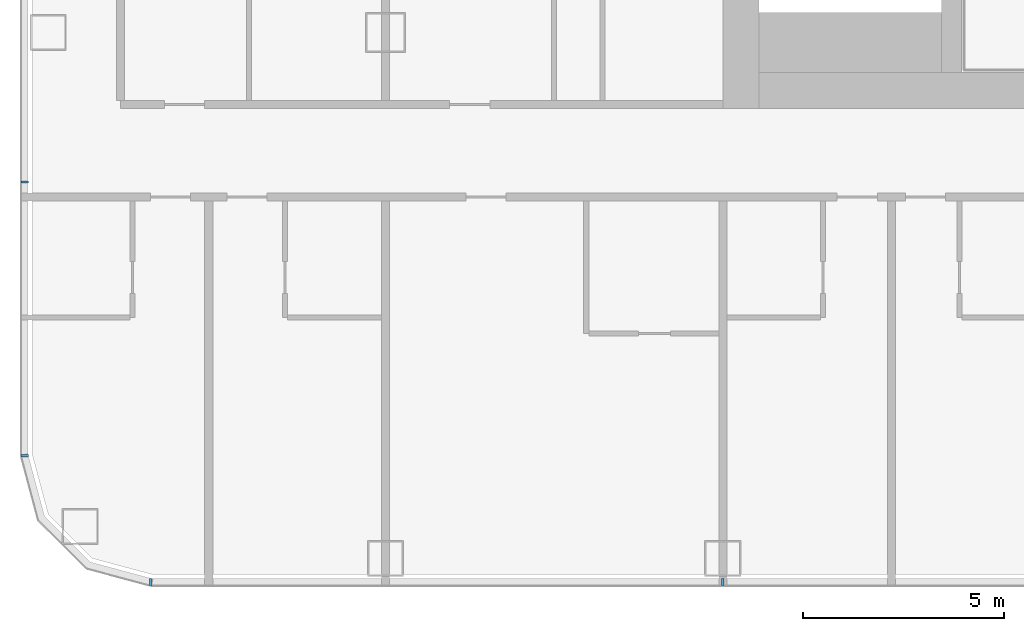
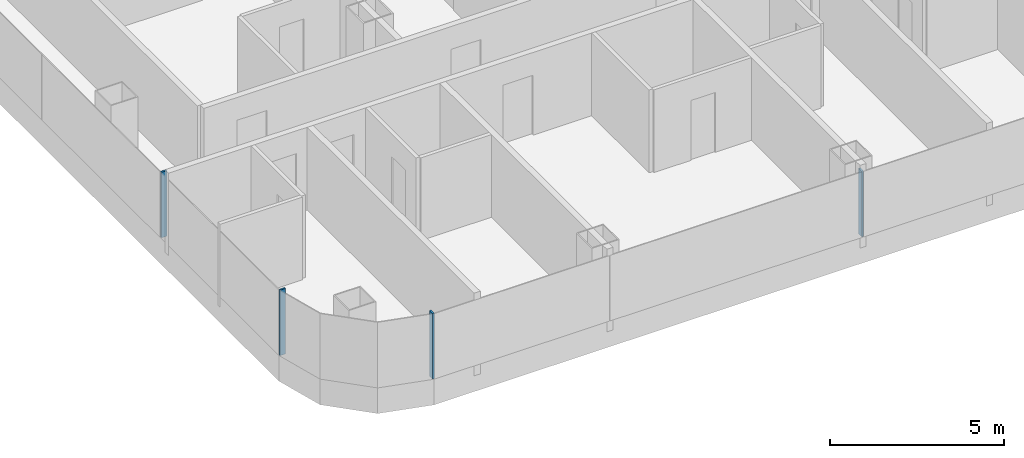
# One storey, part 2 of 29: 4 members, 2 elements without a shape of their own.
"""IFC4 building model written with IfcOpenShell, lengths in metres."""

import ifcopenshell
import ifcopenshell.guid

model = None  # the IFC model being written
_history = None  # IfcOwnerHistory: only IFC2X3 demands one
_inside = {}  # id of a spatial element -> (the spatial element, [elements in it])
_under = {}  # id of a project, library or spatial element -> (it, [spatial elements below it])
_declared = {}  # id of a project -> (the project, [libraries it declares])
_typed = {}  # id of a type object -> (the type object, [elements of that type])
_made_of = {}  # id of a material, layer set ... -> (it, [elements and type objects made of it])


def new_model(schema):
    """Start an empty IFC model of exactly this schema.

    Asked for "IFC4X3", IfcOpenShell would pick the latest addendum, in which some entities
    have other attributes; the version numbers below select the first issue.
    IFC2X3 requires an IfcOwnerHistory on every rooted entity: one is made here for all.
    """
    global model, _history
    if schema == "IFC4X3":
        model = ifcopenshell.file(schema_version=(4, 3, 0, 0))
    else:
        model = ifcopenshell.file(schema=schema)
    _inside.clear()
    _under.clear()
    _declared.clear()
    _typed.clear()
    _made_of.clear()
    _history = None
    if model.schema == "IFC2X3":
        org = make("IfcOrganization", Name="unknown")
        user = make(
            "IfcPersonAndOrganization",
            ThePerson=make("IfcPerson", FamilyName="unknown"),
            TheOrganization=org,
        )
        app = make(
            "IfcApplication",
            ApplicationDeveloper=org,
            Version="unknown",
            ApplicationFullName="unknown",
            ApplicationIdentifier="unknown",
        )
        _history = make(
            "IfcOwnerHistory",
            OwningUser=user,
            OwningApplication=app,
            ChangeAction="ADDED",
            CreationDate=0,
        )
    return model


def make(cls, **values):
    """One entity of the class cls with the attributes given. An attribute that is None is left unset."""
    return model.create_entity(
        cls, **{name: value for name, value in values.items() if value is not None}
    )


def rooted(cls, **values):
    """An entity with a GlobalId (a new one), such as an element, a storey or a relation."""
    return make(cls, GlobalId=ifcopenshell.guid.new(), OwnerHistory=_history, **values)


def si_unit(unit_type, name, prefix=None):
    """IfcSIUnit, for example si_unit("LENGTHUNIT", "METRE", prefix="MILLI")."""
    return make("IfcSIUnit", UnitType=unit_type, Prefix=prefix, Name=name)


def assignment(units):
    """IfcUnitAssignment: the units of a project."""
    return None if units is None else make("IfcUnitAssignment", Units=units)


def point(xyz):
    """IfcCartesianPoint."""
    return None if xyz is None else make("IfcCartesianPoint", Coordinates=xyz)


def direction(xyz):
    """IfcDirection."""
    return None if xyz is None else make("IfcDirection", DirectionRatios=xyz)


def frame(location, z_axis=None, x_axis=None):
    """IfcAxis2Placement3D, a coordinate frame: its origin and axes. An axis left out is left unset."""
    return make(
        "IfcAxis2Placement3D",
        Location=point(location),
        Axis=direction(z_axis),
        RefDirection=direction(x_axis),
    )


def frame_2d(location, x_axis=None):
    """IfcAxis2Placement2D, a coordinate frame in the plane: its origin and x axis."""
    return make(
        "IfcAxis2Placement2D", Location=point(location), RefDirection=direction(x_axis)
    )


def origin():
    """The frame at (0, 0, 0) with its axes left unset."""
    return frame((0.0, 0.0, 0.0))


def origin_2d():
    """The frame at (0, 0) in the plane with its x axis left unset."""
    return frame_2d((0.0, 0.0))


def place(relative_to, where):
    """IfcLocalPlacement: puts the frame where relative to a parent placement (None: the world)."""
    return make(
        "IfcLocalPlacement", PlacementRelTo=relative_to, RelativePlacement=where
    )


def context(
    kind, dimensions, precision=None, world=None, true_north=None, identifier=None
):
    """IfcGeometricRepresentationContext, for example the 3D "Model" context."""
    return make(
        "IfcGeometricRepresentationContext",
        ContextIdentifier=identifier,
        ContextType=kind,
        CoordinateSpaceDimension=dimensions,
        Precision=precision,
        WorldCoordinateSystem=world,
        TrueNorth=true_north,
    )


def subcontext(parent, identifier, kind, view, scale=None):
    """IfcGeometricRepresentationSubContext, for example "Body" below "Model"."""
    return make(
        "IfcGeometricRepresentationSubContext",
        ContextIdentifier=identifier,
        ContextType=kind,
        ParentContext=parent,
        TargetScale=scale,
        TargetView=view,
    )


def project(units=None, contexts=None):
    """IfcProject with its units and contexts."""
    return rooted(
        "IfcProject",
        Name="project",
        RepresentationContexts=contexts,
        UnitsInContext=assignment(units),
    )


def spatial(cls, under=None, at=None, **own):
    """A site, building, storey or space (cls), placed at a placement, below another one or the project."""
    s = rooted(cls, ObjectPlacement=at, **own)
    if under is not None:
        _under.setdefault(under.id(), (under, []))[1].append(s)
    return s


def profile(cls, at=None, kind="AREA", **sizes):
    """A parametric profile (cls). Its sizes go by their IFC names, for example OverallWidth=200.0."""
    return make(cls, ProfileType=kind, Position=at, **sizes)


def rectangle(**sizes):
    """IfcRectangleProfileDef."""
    return profile("IfcRectangleProfileDef", **sizes)


def extrude(swept, where, along, depth):
    """IfcExtrudedAreaSolid: the profile swept, set in the frame where, extruded along a direction by depth."""
    return make(
        "IfcExtrudedAreaSolid",
        SweptArea=swept,
        Position=where,
        ExtrudedDirection=direction(along),
        Depth=depth,
    )


def shape(context_of_items, identifier, shape_type, items):
    """IfcShapeRepresentation: the items that make up one representation, for example the "Body"."""
    return make(
        "IfcShapeRepresentation",
        ContextOfItems=context_of_items,
        RepresentationIdentifier=identifier,
        RepresentationType=shape_type,
        Items=items,
    )


def material(Name=None, Category=None):
    """IfcMaterial."""
    return make("IfcMaterial", Name=Name, Category=Category)


def layer(
    of_material, thickness, ventilated=None, Name=None, Category=None, Priority=None
):
    """IfcMaterialLayer: one layer of a wall or slab, of a material (None: an air gap)."""
    return make(
        "IfcMaterialLayer",
        Material=of_material,
        LayerThickness=thickness,
        IsVentilated=ventilated,
        Name=Name,
        Category=Category,
        Priority=Priority,
    )


def layer_set(layers, Name=None):
    """IfcMaterialLayerSet."""
    return make("IfcMaterialLayerSet", MaterialLayers=layers, LayerSetName=Name)


def material_profile(
    of_material, cross_section, Name=None, Category=None, Priority=None
):
    """IfcMaterialProfile: a cross section and its material."""
    return make(
        "IfcMaterialProfile",
        Name=Name,
        Material=of_material,
        Profile=cross_section,
        Priority=Priority,
        Category=Category,
    )


def profile_set(profiles, Name=None, composite=None):
    """IfcMaterialProfileSet."""
    return make(
        "IfcMaterialProfileSet",
        Name=Name,
        MaterialProfiles=profiles,
        CompositeProfile=composite,
    )


def made_of(thing, what):
    """Note that an element or type object is made of a material, layer set ...; save() writes the relation."""
    if what is not None:
        _made_of.setdefault(what.id(), (what, []))[1].append(thing)
    return thing


def type_object(cls, material=None, **own):
    """A type object (cls), such as IfcWallType, which elements share."""
    return made_of(rooted(cls, **own), material)


def element(
    cls,
    number,
    at=None,
    inside=None,
    cuts=None,
    type_object=None,
    material=None,
    context=None,
    identifier="Body",
    shape_type=None,
    held_by="IfcProductDefinitionShape",
    body=None,
    shapes=None,
    **own,
):
    """One element of the class cls, such as IfcWall. Its Tag is "e" and its number.

    at: its placement. inside: the storey or other place that contains it. cuts: it is an
    opening in that element (IfcRelVoidsElement). A single representation is given by context,
    identifier, shape_type and body (its items); several are given by shapes. held_by: the class
    of the entity that holds the representations. save() writes the other relations.
    """
    e = rooted(cls, Tag="e%d" % number, ObjectPlacement=at, **own)
    if body is not None:
        shapes = [shape(context, identifier, shape_type, body)]
    if shapes is not None:
        e.Representation = make(held_by, Representations=shapes)
    if inside is not None:
        _inside.setdefault(inside.id(), (inside, []))[1].append(e)
    if cuts is not None:
        rooted(
            "IfcRelVoidsElement", RelatingBuildingElement=cuts, RelatedOpeningElement=e
        )
    if type_object is not None:
        _typed.setdefault(type_object.id(), (type_object, []))[1].append(e)
    return made_of(e, material)


def aggregate(whole, parts):
    """IfcRelAggregates: a whole, such as a stair, and the parts it consists of."""
    return rooted("IfcRelAggregates", RelatingObject=whole, RelatedObjects=parts)


def save(model, path):
    """Write the relations noted so far, then the file.

    IfcRelAggregates (storeys below a building ...), IfcRelContainedInSpatialStructure (elements
    in a storey), IfcRelDefinesByType, IfcRelAssociatesMaterial and IfcRelDeclares: one each for
    every whole, place, type object, material and project.
    """
    for whole, parts in _under.values():
        aggregate(whole, parts)
    for where, things in _inside.values():
        rooted(
            "IfcRelContainedInSpatialStructure",
            RelatedElements=things,
            RelatingStructure=where,
        )
    for kind, things in _typed.values():
        rooted("IfcRelDefinesByType", RelatedObjects=things, RelatingType=kind)
    for what, things in _made_of.values():
        rooted("IfcRelAssociatesMaterial", RelatedObjects=things, RelatingMaterial=what)
    for by, libraries in _declared.values():
        rooted("IfcRelDeclares", RelatingContext=by, RelatedDefinitions=libraries)
    model.write(path)


model = new_model("IFC4")

# Units and contexts
model_context = context("Model", 3, precision=1e-05, world=origin(), true_north=direction((0.0, 1.0)))
body_context = subcontext(model_context, "Body", "Model", "MODEL_VIEW")
ifc_project = project(units=[si_unit("LENGTHUNIT", "METRE"), si_unit("AREAUNIT", "SQUARE_METRE"), si_unit("VOLUMEUNIT", "CUBIC_METRE"), si_unit("PLANEANGLEUNIT", "RADIAN"), si_unit("MASSUNIT", "GRAM", prefix="KILO")], contexts=[model_context])

# Site, building, storey
site_placement = place(None, origin())
site = spatial("IfcSite", under=ifc_project, at=site_placement, CompositionType="ELEMENT")
building_placement = place(site_placement, origin())
building = spatial("IfcBuilding", under=site, at=building_placement, Name="Hakoniwa Tower and Hamabe Station Hall", CompositionType="ELEMENT")
storey_placement = place(building_placement, frame((0.0, 0.0, 61.39990234375)))
storey = spatial("IfcBuildingStorey", under=building, at=storey_placement, Name="L17", CompositionType="ELEMENT", Elevation=61.39990234375)

# Curtain wall, members
ifc_material_1 = material(Name="Dark low-e laminated glass", Category="glass")
ifc_layer = layer(ifc_material_1, 0.199951171875)
ifc_layer_set = layer_set([ifc_layer], Name="CW-1 UNITISED GUEST")
curtain_wall_type = type_object("IfcCurtainWallType", Name="CW-1 UNITISED GUEST", PredefinedType="NOTDEFINED", material=ifc_layer_set)
curtain_wall_1_placement = place(storey_placement, origin())
curtain_wall_1 = element("IfcCurtainWall", 1, at=curtain_wall_1_placement, inside=storey, type_object=curtain_wall_type, Name="CW-1 curtain wall", PredefinedType="NOTDEFINED")
ifc_material_2 = material(Name="Aluminium 6063-T5 black anodised", Category="aluminium")
ifc_material_profile = material_profile(ifc_material_2, rectangle(XDim=0.06005859375, YDim=0.179931640625, at=origin_2d()), Name="CW-1 MULLION 60X180")
ifc_profile_set = profile_set([ifc_material_profile], Name="Aluminium 6063-T5 black anodised")
member_type = type_object("IfcMemberType", Name="CW-1 MULLION 60X180", PredefinedType="MULLION", material=ifc_profile_set)
member_1_placement = place(storey_placement, frame((-50.98193359375, -10.2236328125, 0.35009765625), z_axis=(0.0, 0.0, 1.0), x_axis=(0.0, -1.0, 0.0)))
member_1 = element("IfcMember", 2, at=member_1_placement, type_object=member_type, Name="CW-1 mullion", PredefinedType="MULLION", context=body_context, shape_type="SweptSolid", body=[
    extrude(rectangle(XDim=0.06005859375, YDim=0.179931640625, at=origin_2d()), origin(), (0.0, 0.0, 1.0), 2.300048828125),
])
member_2_placement = place(storey_placement, frame((-50.98193359375, -17.03955078125, 0.35009765625), z_axis=(0.0, 0.0, 1.0), x_axis=(0.0, -1.0, 0.0)))
member_2 = element("IfcMember", 3, at=member_2_placement, type_object=member_type, Name="CW-1 mullion", PredefinedType="MULLION", context=body_context, shape_type="SweptSolid", body=[
    extrude(rectangle(XDim=0.06005859375, YDim=0.179931640625, at=origin_2d()), origin(), (0.0, 0.0, 1.0), 2.300048828125),
])
aggregate(curtain_wall_1, [member_1, member_2])

curtain_wall_2_placement = place(storey_placement, origin())
curtain_wall_2 = element("IfcCurtainWall", 4, at=curtain_wall_2_placement, inside=storey, type_object=curtain_wall_type, Name="CW-1 curtain wall", PredefinedType="NOTDEFINED")
member_3_placement = place(storey_placement, frame((-47.839599609375, -20.181884765625, 0.35009765625), z_axis=(0.0, 0.0, 1.0), x_axis=(1.0, 0.0, 0.0)))
member_3 = element("IfcMember", 5, at=member_3_placement, type_object=member_type, Name="CW-1 mullion", PredefinedType="MULLION", context=body_context, shape_type="SweptSolid", body=[
    extrude(rectangle(XDim=0.06005859375, YDim=0.179931640625, at=origin_2d()), origin(), (0.0, 0.0, 1.0), 2.300048828125),
])
member_4_placement = place(storey_placement, frame((-33.60009765625, -20.181884765625, 0.35009765625), z_axis=(0.0, 0.0, 1.0), x_axis=(1.0, 0.0, 0.0)))
member_4 = element("IfcMember", 6, at=member_4_placement, type_object=member_type, Name="CW-1 mullion", PredefinedType="MULLION", context=body_context, shape_type="SweptSolid", body=[
    extrude(rectangle(XDim=0.06005859375, YDim=0.179931640625, at=origin_2d()), origin(), (0.0, 0.0, 1.0), 2.300048828125),
])
aggregate(curtain_wall_2, [member_3, member_4])

save(model, "model.ifc")
